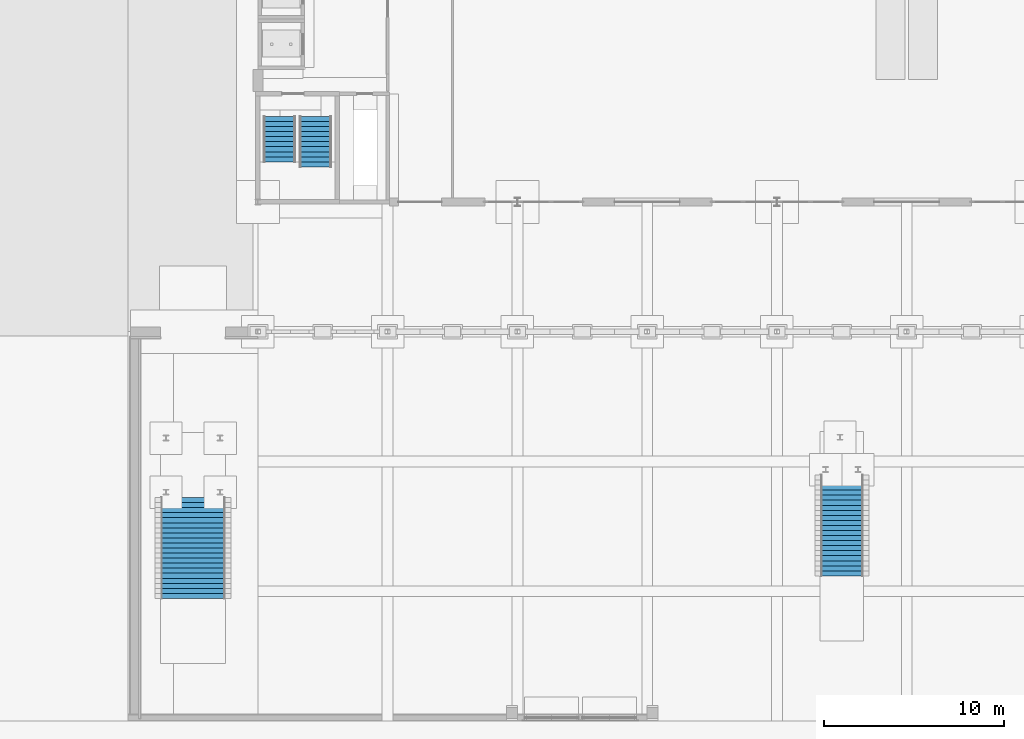
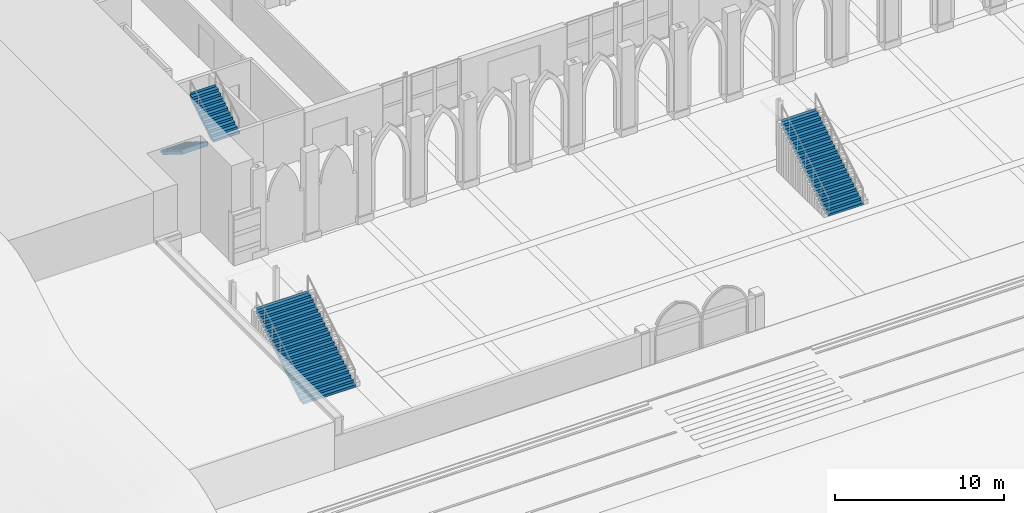
# One storey, part 93 of 148: 4 stair flights, 3 elements without a shape of their own.
"""IFC4 building model written with IfcOpenShell, lengths in metres."""

from ifc_helpers import new_model, si_unit, direction, frame, origin, place, context, subcontext, project, spatial, polyline, outline, extrude, material, type_object, element, aggregate, save


model = new_model("IFC4")

# Units and contexts
model_context = context("Model", 3, precision=1e-05, world=origin(), true_north=direction((0.0, 1.0)))
body_context = subcontext(model_context, "Body", "Model", "MODEL_VIEW")
ifc_project = project(units=[si_unit("LENGTHUNIT", "METRE"), si_unit("AREAUNIT", "SQUARE_METRE"), si_unit("VOLUMEUNIT", "CUBIC_METRE"), si_unit("PLANEANGLEUNIT", "RADIAN"), si_unit("MASSUNIT", "GRAM", prefix="KILO")], contexts=[model_context])

# Site, building, storey
site_placement = place(None, origin())
site = spatial("IfcSite", under=ifc_project, at=site_placement, CompositionType="ELEMENT")
building_placement = place(site_placement, origin())
building = spatial("IfcBuilding", under=site, at=building_placement, Name="Kupolbacken Congress Centre", CompositionType="ELEMENT")
storey_placement = place(building_placement, origin())
storey = spatial("IfcBuildingStorey", under=building, at=storey_placement, Name="L00", CompositionType="ELEMENT", Elevation=0.0)

# Stair, stair flights
ifc_material_1 = material(Name="Steel S355", Category="steel")
stair_type_1 = type_object("IfcStairType", Name="ST3 stair 1800", PredefinedType="TWO_STRAIGHT_RUN_STAIR", material=ifc_material_1)
stair_1_placement = place(storey_placement, origin())
stair_1 = element("IfcStair", 1, at=stair_1_placement, inside=storey, type_object=stair_type_1, Name="C/stair/FS1W/L00", PredefinedType="NOTDEFINED")
ifc_material_2 = material(Name="Steel S355", Category="steel")
stair_flight_type_1 = type_object("IfcStairFlightType", Name="FL5 stair flight 1800 x 10 risers", PredefinedType="STRAIGHT", material=ifc_material_2)
stair_flight_1_placement = place(storey_placement, frame((8.39990234375, 33.544921875, 0.0), z_axis=(0.0, 0.0, 1.0), x_axis=(0.0, -1.0, 0.0)))
stair_flight_1 = element("IfcStairFlight", 2, at=stair_flight_1_placement, type_object=stair_flight_type_1, Name="FS1W flight 1", NumberOfRisers=10, NumberOfTreads=9, PredefinedType="STRAIGHT", RiserHeight=0.171428571, TreadLength=0.28, context=body_context, shape_type="SweptSolid", body=[
    extrude(outline(polyline([(0.0, 0.0), (0.0, 0.0009765625), (0.0, 0.002197265625), (0.0, 0.003173828125), (0.0, 0.004150390625), (0.0, 0.00537109375), (0.0, 0.00634765625), (0.0, 0.007568359375), (0.0, 0.008544921875), (0.0, 0.009521484375), (0.0, 0.0107421875), (0.0, 0.01171875), (0.0, 0.0126953125), (0.0, 0.013916015625), (0.0, 0.014892578125), (0.0, 0.015869140625), (0.0, 0.01708984375), (0.0, 0.01806640625), (0.0, 0.019287109375), (0.0, 0.020263671875), (0.0, 0.021240234375), (0.0, 0.0224609375), (0.0, 0.0234375), (0.0, 0.0244140625), (0.0, 0.025634765625), (0.0, 0.026611328125), (0.0, 0.027587890625), (0.0, 0.02880859375), (0.0, 0.02978515625), (0.0, 0.03076171875), (0.0, 0.031982421875), (0.0, 0.032958984375), (0.0, 0.0341796875), (0.0, 0.03515625), (0.0, 0.0361328125), (0.0, 0.037353515625), (0.0, 0.038330078125), (0.0, 0.039306640625), (0.0, 0.04052734375), (0.0, 0.04150390625), (0.0, 0.04248046875), (0.0, 0.043701171875), (0.0, 0.044677734375), (0.0, 0.0458984375), (0.0, 0.046875), (0.0, 0.0478515625), (0.0, 0.049072265625), (0.0, 0.050048828125), (0.0, 0.051025390625), (0.0, 0.05224609375), (0.0, 0.05322265625), (0.0, 0.05419921875), (0.0, 0.055419921875), (0.0, 0.056396484375), (0.0, 0.0576171875), (0.0, 0.05859375), (0.0, 0.0595703125), (0.0, 0.060791015625), (0.0, 0.061767578125), (0.0, 0.062744140625), (0.0, 0.06396484375), (0.0, 0.06494140625), (0.0, 0.06591796875), (0.0, 0.067138671875), (0.0, 0.068115234375), (0.0, 0.069091796875), (0.0, 0.0703125), (0.0, 0.0712890625), (0.0, 0.072509765625), (0.0, 0.073486328125), (0.0, 0.074462890625), (0.0, 0.07568359375), (0.0, 0.07666015625), (0.0, 0.07763671875), (0.0, 0.078857421875), (0.0, 0.079833984375), (0.0, 0.080810546875), (0.0, 0.08203125), (0.0, 0.0830078125), (0.0, 0.084228515625), (0.0, 0.085205078125), (0.0, 0.086181640625), (0.0, 0.08740234375), (0.0, 0.08837890625), (0.0, 0.08935546875), (0.0, 0.090576171875), (0.0, 0.091552734375), (0.0, 0.092529296875), (0.0, 0.09375), (0.0, 0.0947265625), (0.0, 0.095947265625), (0.0, 0.096923828125), (0.0, 0.097900390625), (0.0, 0.09912109375), (0.0, 0.10009765625), (0.0, 0.10107421875), (0.0, 0.102294921875), (0.0, 0.103271484375), (0.0, 0.104248046875), (0.0, 0.10546875), (0.0, 0.1064453125), (0.0, 0.107421875), (0.0, 0.108642578125), (0.0, 0.109619140625), (0.0, 0.11083984375), (0.0, 0.11181640625), (0.0, 0.11279296875), (0.0, 0.114013671875), (0.0, 0.114990234375), (0.0, 0.115966796875), (0.0, 0.1171875), (0.0, 0.1181640625), (0.0, 0.119140625), (0.0, 0.120361328125), (0.0, 0.121337890625), (0.0, 0.12255859375), (0.0, 0.12353515625), (0.0, 0.12451171875), (0.0, 0.125732421875), (0.0, 0.126708984375), (0.0, 0.127685546875), (0.0, 0.12890625), (0.0, 0.1298828125), (0.0, 0.130859375), (0.0, 0.132080078125), (0.0, 0.133056640625), (0.0, 0.13427734375), (0.0, 0.13525390625), (0.0, 0.13623046875), (0.0, 0.137451171875), (0.0, 0.138427734375), (0.0, 0.139404296875), (0.0, 0.140625), (0.0, 0.1416015625), (0.0, 0.142578125), (0.0, 0.143798828125), (0.0, 0.144775390625), (0.0, 0.145751953125), (0.0, 0.14697265625), (0.0, 0.14794921875), (0.0, 0.149169921875), (0.0, 0.150146484375), (0.0, 0.151123046875), (0.0, 0.15234375), (0.0, 0.1533203125), (0.0, 0.154296875), (0.0, 0.155517578125), (0.0, 0.156494140625), (0.0, 0.157470703125), (0.0, 0.15869140625), (0.0, 0.15966796875), (0.0, 0.160888671875), (0.0, 0.161865234375), (0.0, 0.162841796875), (0.0, 0.1640625), (0.0, 0.1650390625), (0.0, 0.166015625), (0.0, 0.167236328125), (0.0, 0.168212890625), (0.0, 0.169189453125), (0.0, 0.17041015625), (0.0, 0.17138671875), (0.280029296875, 0.17138671875), (0.280029296875, 0.3427734375), (0.56005859375, 0.3427734375), (0.56005859375, 0.514404296875), (0.840087890625, 0.514404296875), (0.840087890625, 0.685791015625), (1.1201171875, 0.685791015625), (1.1201171875, 0.857177734375), (1.39990234375, 0.857177734375), (1.39990234375, 1.028564453125), (1.679931640625, 1.028564453125), (1.679931640625, 1.199951171875), (1.9599609375, 1.199951171875), (1.9599609375, 1.371337890625), (2.239990234375, 1.371337890625), (2.239990234375, 1.54296875), (2.52001953125, 1.54296875), (2.52001953125, 1.71435546875), (2.52197265625, 1.71435546875), (2.52197265625, 1.712158203125), (2.52197265625, 1.7099609375), (2.52197265625, 1.707763671875), (2.52197265625, 1.70556640625), (2.52197265625, 1.70361328125), (2.52197265625, 1.701416015625), (2.52197265625, 1.69921875), (2.52197265625, 1.697021484375), (2.52197265625, 1.69482421875), (2.52197265625, 1.692626953125), (2.52197265625, 1.690673828125), (2.52197265625, 1.6884765625), (2.52197265625, 1.686279296875), (2.52197265625, 1.68408203125), (2.52197265625, 1.681884765625), (2.52197265625, 1.6796875), (2.52197265625, 1.677734375), (2.52197265625, 1.675537109375), (2.52197265625, 1.67333984375), (2.52197265625, 1.671142578125), (2.52197265625, 1.6689453125), (2.52197265625, 1.666748046875), (2.52197265625, 1.664794921875), (2.52197265625, 1.66259765625), (2.52197265625, 1.660400390625), (2.52197265625, 1.658203125), (2.52197265625, 1.656005859375), (2.52197265625, 1.65380859375), (2.52197265625, 1.65185546875), (2.52197265625, 1.649658203125), (2.52197265625, 1.6474609375), (2.52197265625, 1.645263671875), (2.52197265625, 1.64306640625), (2.52197265625, 1.640869140625), (2.52197265625, 1.638916015625), (2.52197265625, 1.63671875), (2.52197265625, 1.634521484375), (2.52197265625, 1.63232421875), (2.52197265625, 1.630126953125), (2.52197265625, 1.6279296875), (2.52197265625, 1.6259765625), (2.52197265625, 1.623779296875), (2.52197265625, 1.62158203125), (2.52197265625, 1.619384765625), (2.52197265625, 1.6171875), (2.52197265625, 1.614990234375), (2.52197265625, 1.613037109375), (2.52197265625, 1.61083984375), (2.52197265625, 1.608642578125), (2.52197265625, 1.6064453125), (2.52197265625, 1.604248046875), (2.52197265625, 1.60205078125), (2.52197265625, 1.60009765625), (2.52197265625, 1.597900390625), (2.52197265625, 1.595703125), (2.52197265625, 1.593505859375), (2.52197265625, 1.59130859375), (2.52197265625, 1.589111328125), (2.52197265625, 1.587158203125), (2.52197265625, 1.5849609375), (2.52197265625, 1.582763671875), (2.52197265625, 1.58056640625), (2.52197265625, 1.578369140625), (2.52197265625, 1.576171875), (2.52197265625, 1.57421875), (2.52197265625, 1.572021484375), (2.52197265625, 1.56982421875), (2.52197265625, 1.567626953125), (2.52197265625, 1.5654296875), (2.52197265625, 1.563232421875), (2.52197265625, 1.561279296875), (2.52197265625, 1.55908203125), (2.52197265625, 1.556884765625), (2.52197265625, 1.5546875), (2.52197265625, 1.552490234375), (2.52197265625, 1.55029296875), (2.52197265625, 1.54833984375), (2.52197265625, 1.546142578125), (2.52197265625, 1.5439453125), (2.52197265625, 1.541748046875), (2.52197265625, 1.53955078125), (2.52197265625, 1.537353515625), (2.52197265625, 1.535400390625), (2.52197265625, 1.533203125), (2.52197265625, 1.531005859375), (2.52197265625, 1.52880859375), (2.52197265625, 1.526611328125), (2.52197265625, 1.5244140625), (2.52197265625, 1.5224609375), (2.52197265625, 1.520263671875), (2.52197265625, 1.51806640625), (2.52197265625, 1.515869140625), (2.52197265625, 1.513671875), (2.52197265625, 1.511474609375), (2.52197265625, 1.509521484375), (2.52197265625, 1.50732421875), (2.52197265625, 1.505126953125), (2.52197265625, 1.5029296875), (2.52197265625, 1.500732421875), (2.52197265625, 1.49853515625), (2.52197265625, 1.49658203125), (2.52197265625, 1.494384765625), (2.52197265625, 1.4921875), (2.52197265625, 1.489990234375), (2.52197265625, 1.48779296875), (2.52197265625, 1.485595703125), (2.52197265625, 1.483642578125), (2.52197265625, 1.4814453125), (2.52197265625, 1.479248046875), (2.52197265625, 1.47705078125), (2.52197265625, 1.474853515625), (2.52197265625, 1.47265625), (2.52197265625, 1.470703125), (2.52197265625, 1.468505859375), (2.52197265625, 1.46630859375), (2.52197265625, 1.464111328125), (2.52197265625, 1.4619140625), (2.52197265625, 1.459716796875), (2.52197265625, 1.457763671875), (2.52197265625, 1.45556640625), (2.52197265625, 1.453369140625), (2.52197265625, 1.451171875), (2.52197265625, 1.448974609375), (2.52197265625, 1.44677734375), (2.52197265625, 1.44482421875), (2.52197265625, 1.442626953125), (2.52197265625, 1.4404296875), (2.52197265625, 1.438232421875), (2.52197265625, 1.43603515625), (2.52197265625, 1.433837890625), (2.52197265625, 1.431884765625), (2.52197265625, 1.4296875), (2.52197265625, 1.427490234375), (2.52197265625, 1.42529296875), (2.52197265625, 1.423095703125), (2.52197265625, 1.4208984375), (2.52197265625, 1.4189453125), (2.52197265625, 1.416748046875), (2.52197265625, 1.41455078125), (2.52197265625, 1.412353515625), (2.52197265625, 1.41015625), (2.52197265625, 1.407958984375), (2.52197265625, 1.406005859375), (2.52197265625, 1.40380859375), (2.52197265625, 1.401611328125), (2.52197265625, 1.3994140625), (2.52197265625, 1.397216796875), (2.52197265625, 1.39501953125), (2.52197265625, 1.39306640625), (2.52197265625, 1.390869140625), (2.52197265625, 1.388671875), (2.52197265625, 1.386474609375), (2.52197265625, 1.38427734375), (2.52197265625, 1.382080078125), (2.52197265625, 1.380126953125), (2.52197265625, 1.3779296875), (2.52197265625, 1.375732421875), (2.52197265625, 1.37353515625), (2.52197265625, 1.371337890625), (2.52197265625, 1.369140625), (2.52197265625, 1.3671875), (0.2890625, 0.0), (0.0, 0.0)])), frame((0.0, 0.89990234375, 0.0), z_axis=(0.0, -1.0, 0.0), x_axis=(1.0, 0.0, 0.0)), (0.0, 0.0, 1.0), 1.800048828125),
])
ifc_material_3 = material(Name="Steel S355", Category="steel")
stair_flight_type_2 = type_object("IfcStairFlightType", Name="FL6 stair flight 1800 x 11 risers", PredefinedType="STRAIGHT", material=ifc_material_3)
stair_flight_2_placement = place(storey_placement, frame((10.39990234375, 30.7451171875, 1.71435546875), z_axis=(0.0, 0.0, 1.0), x_axis=(0.0, 1.0, 0.0)))
stair_flight_2 = element("IfcStairFlight", 3, at=stair_flight_2_placement, type_object=stair_flight_type_2, Name="FS1W flight 2", NumberOfRisers=11, NumberOfTreads=10, PredefinedType="STRAIGHT", RiserHeight=0.171428571, TreadLength=0.28, context=body_context, shape_type="SweptSolid", body=[
    extrude(outline(polyline([(0.0, 0.0), (0.0, 0.0009765625), (0.0, 0.002197265625), (0.0, 0.003173828125), (0.0, 0.004150390625), (0.0, 0.00537109375), (0.0, 0.00634765625), (0.0, 0.007568359375), (0.0, 0.008544921875), (0.0, 0.009521484375), (0.0, 0.0107421875), (0.0, 0.01171875), (0.0, 0.0126953125), (0.0, 0.013916015625), (0.0, 0.014892578125), (0.0, 0.015869140625), (0.0, 0.01708984375), (0.0, 0.01806640625), (0.0, 0.019287109375), (0.0, 0.020263671875), (0.0, 0.021240234375), (0.0, 0.0224609375), (0.0, 0.0234375), (0.0, 0.0244140625), (0.0, 0.025634765625), (0.0, 0.026611328125), (0.0, 0.027587890625), (0.0, 0.02880859375), (0.0, 0.02978515625), (0.0, 0.03076171875), (0.0, 0.031982421875), (0.0, 0.032958984375), (0.0, 0.0341796875), (0.0, 0.03515625), (0.0, 0.0361328125), (0.0, 0.037353515625), (0.0, 0.038330078125), (0.0, 0.039306640625), (0.0, 0.04052734375), (0.0, 0.04150390625), (0.0, 0.04248046875), (0.0, 0.043701171875), (0.0, 0.044677734375), (0.0, 0.0458984375), (0.0, 0.046875), (0.0, 0.0478515625), (0.0, 0.049072265625), (0.0, 0.050048828125), (0.0, 0.051025390625), (0.0, 0.05224609375), (0.0, 0.05322265625), (0.0, 0.05419921875), (0.0, 0.055419921875), (0.0, 0.056396484375), (0.0, 0.0576171875), (0.0, 0.05859375), (0.0, 0.0595703125), (0.0, 0.060791015625), (0.0, 0.061767578125), (0.0, 0.062744140625), (0.0, 0.06396484375), (0.0, 0.06494140625), (0.0, 0.06591796875), (0.0, 0.067138671875), (0.0, 0.068115234375), (0.0, 0.069091796875), (0.0, 0.0703125), (0.0, 0.0712890625), (0.0, 0.072509765625), (0.0, 0.073486328125), (0.0, 0.074462890625), (0.0, 0.07568359375), (0.0, 0.07666015625), (0.0, 0.07763671875), (0.0, 0.078857421875), (0.0, 0.079833984375), (0.0, 0.080810546875), (0.0, 0.08203125), (0.0, 0.0830078125), (0.0, 0.084228515625), (0.0, 0.085205078125), (0.0, 0.086181640625), (0.0, 0.08740234375), (0.0, 0.08837890625), (0.0, 0.08935546875), (0.0, 0.090576171875), (0.0, 0.091552734375), (0.0, 0.092529296875), (0.0, 0.09375), (0.0, 0.0947265625), (0.0, 0.095947265625), (0.0, 0.096923828125), (0.0, 0.097900390625), (0.0, 0.09912109375), (0.0, 0.10009765625), (0.0, 0.10107421875), (0.0, 0.102294921875), (0.0, 0.103271484375), (0.0, 0.104248046875), (0.0, 0.10546875), (0.0, 0.1064453125), (0.0, 0.107421875), (0.0, 0.108642578125), (0.0, 0.109619140625), (0.0, 0.11083984375), (0.0, 0.11181640625), (0.0, 0.11279296875), (0.0, 0.114013671875), (0.0, 0.114990234375), (0.0, 0.115966796875), (0.0, 0.1171875), (0.0, 0.1181640625), (0.0, 0.119140625), (0.0, 0.120361328125), (0.0, 0.121337890625), (0.0, 0.12255859375), (0.0, 0.12353515625), (0.0, 0.12451171875), (0.0, 0.125732421875), (0.0, 0.126708984375), (0.0, 0.127685546875), (0.0, 0.12890625), (0.0, 0.1298828125), (0.0, 0.130859375), (0.0, 0.132080078125), (0.0, 0.133056640625), (0.0, 0.13427734375), (0.0, 0.13525390625), (0.0, 0.13623046875), (0.0, 0.137451171875), (0.0, 0.138427734375), (0.0, 0.139404296875), (0.0, 0.140625), (0.0, 0.1416015625), (0.0, 0.142578125), (0.0, 0.143798828125), (0.0, 0.144775390625), (0.0, 0.145751953125), (0.0, 0.14697265625), (0.0, 0.14794921875), (0.0, 0.149169921875), (0.0, 0.150146484375), (0.0, 0.151123046875), (0.0, 0.15234375), (0.0, 0.1533203125), (0.0, 0.154296875), (0.0, 0.155517578125), (0.0, 0.156494140625), (0.0, 0.157470703125), (0.0, 0.15869140625), (0.0, 0.15966796875), (0.0, 0.160888671875), (0.0, 0.161865234375), (0.0, 0.162841796875), (0.0, 0.1640625), (0.0, 0.1650390625), (0.0, 0.166015625), (0.0, 0.167236328125), (0.0, 0.168212890625), (0.0, 0.169189453125), (0.0, 0.17041015625), (0.0, 0.17138671875), (0.280029296875, 0.17138671875), (0.280029296875, 0.3427734375), (0.56005859375, 0.3427734375), (0.56005859375, 0.514404296875), (0.840087890625, 0.514404296875), (0.840087890625, 0.685791015625), (1.1201171875, 0.685791015625), (1.1201171875, 0.857177734375), (1.39990234375, 0.857177734375), (1.39990234375, 1.028564453125), (1.679931640625, 1.028564453125), (1.679931640625, 1.199951171875), (1.9599609375, 1.199951171875), (1.9599609375, 1.371337890625), (2.239990234375, 1.371337890625), (2.239990234375, 1.54296875), (2.52001953125, 1.54296875), (2.52001953125, 1.71435546875), (2.800048828125, 1.71435546875), (2.800048828125, 1.8857421875), (2.802001953125, 1.8857421875), (2.802001953125, 1.883544921875), (2.802001953125, 1.88134765625), (2.802001953125, 1.879150390625), (2.802001953125, 1.877197265625), (2.802001953125, 1.875), (2.802001953125, 1.872802734375), (2.802001953125, 1.87060546875), (2.802001953125, 1.868408203125), (2.802001953125, 1.8662109375), (2.802001953125, 1.8642578125), (2.802001953125, 1.862060546875), (2.802001953125, 1.85986328125), (2.802001953125, 1.857666015625), (2.802001953125, 1.85546875), (2.802001953125, 1.853271484375), (2.802001953125, 1.851318359375), (2.802001953125, 1.84912109375), (2.802001953125, 1.846923828125), (2.802001953125, 1.8447265625), (2.802001953125, 1.842529296875), (2.802001953125, 1.84033203125), (2.802001953125, 1.83837890625), (2.802001953125, 1.836181640625), (2.802001953125, 1.833984375), (2.802001953125, 1.831787109375), (2.802001953125, 1.82958984375), (2.802001953125, 1.827392578125), (2.802001953125, 1.825439453125), (2.802001953125, 1.8232421875), (2.802001953125, 1.821044921875), (2.802001953125, 1.81884765625), (2.802001953125, 1.816650390625), (2.802001953125, 1.814453125), (2.802001953125, 1.8125), (2.802001953125, 1.810302734375), (2.802001953125, 1.80810546875), (2.802001953125, 1.805908203125), (2.802001953125, 1.8037109375), (2.802001953125, 1.801513671875), (2.802001953125, 1.799560546875), (2.802001953125, 1.79736328125), (2.802001953125, 1.795166015625), (2.802001953125, 1.79296875), (2.802001953125, 1.790771484375), (2.802001953125, 1.78857421875), (2.802001953125, 1.78662109375), (2.802001953125, 1.784423828125), (2.802001953125, 1.7822265625), (2.802001953125, 1.780029296875), (2.802001953125, 1.77783203125), (2.802001953125, 1.775634765625), (2.802001953125, 1.773681640625), (2.802001953125, 1.771484375), (2.802001953125, 1.769287109375), (2.802001953125, 1.76708984375), (2.802001953125, 1.764892578125), (2.802001953125, 1.7626953125), (2.802001953125, 1.7607421875), (2.802001953125, 1.758544921875), (2.802001953125, 1.75634765625), (2.802001953125, 1.754150390625), (2.802001953125, 1.751953125), (2.802001953125, 1.749755859375), (2.802001953125, 1.747802734375), (2.802001953125, 1.74560546875), (2.802001953125, 1.743408203125), (2.802001953125, 1.7412109375), (2.802001953125, 1.739013671875), (2.802001953125, 1.73681640625), (2.802001953125, 1.73486328125), (2.802001953125, 1.732666015625), (2.802001953125, 1.73046875), (2.802001953125, 1.728271484375), (2.802001953125, 1.72607421875), (2.802001953125, 1.723876953125), (2.802001953125, 1.721923828125), (2.802001953125, 1.7197265625), (2.802001953125, 1.717529296875), (2.802001953125, 1.71533203125), (2.802001953125, 1.713134765625), (2.802001953125, 1.7109375), (2.802001953125, 1.708984375), (2.802001953125, 1.706787109375), (2.802001953125, 1.70458984375), (2.802001953125, 1.702392578125), (2.802001953125, 1.7001953125), (2.802001953125, 1.697998046875), (2.802001953125, 1.696044921875), (2.802001953125, 1.69384765625), (2.802001953125, 1.691650390625), (2.802001953125, 1.689453125), (2.802001953125, 1.687255859375), (2.802001953125, 1.68505859375), (2.802001953125, 1.68310546875), (2.802001953125, 1.680908203125), (2.802001953125, 1.6787109375), (2.802001953125, 1.676513671875), (2.802001953125, 1.67431640625), (2.802001953125, 1.672119140625), (2.802001953125, 1.670166015625), (2.802001953125, 1.66796875), (2.802001953125, 1.665771484375), (2.802001953125, 1.66357421875), (2.802001953125, 1.661376953125), (2.802001953125, 1.6591796875), (2.802001953125, 1.6572265625), (2.802001953125, 1.655029296875), (2.802001953125, 1.65283203125), (2.802001953125, 1.650634765625), (2.802001953125, 1.6484375), (2.802001953125, 1.646240234375), (2.802001953125, 1.644287109375), (2.802001953125, 1.64208984375), (2.802001953125, 1.639892578125), (2.802001953125, 1.6376953125), (2.802001953125, 1.635498046875), (2.802001953125, 1.63330078125), (2.802001953125, 1.63134765625), (2.802001953125, 1.629150390625), (2.802001953125, 1.626953125), (2.802001953125, 1.624755859375), (2.802001953125, 1.62255859375), (2.802001953125, 1.620361328125), (2.802001953125, 1.618408203125), (2.802001953125, 1.6162109375), (2.802001953125, 1.614013671875), (2.802001953125, 1.61181640625), (2.802001953125, 1.609619140625), (2.802001953125, 1.607421875), (2.802001953125, 1.60546875), (2.802001953125, 1.603271484375), (2.802001953125, 1.60107421875), (2.802001953125, 1.598876953125), (2.802001953125, 1.5966796875), (2.802001953125, 1.594482421875), (2.802001953125, 1.592529296875), (2.802001953125, 1.59033203125), (2.802001953125, 1.588134765625), (2.802001953125, 1.5859375), (2.802001953125, 1.583740234375), (2.802001953125, 1.58154296875), (2.802001953125, 1.57958984375), (2.802001953125, 1.577392578125), (2.802001953125, 1.5751953125), (2.802001953125, 1.572998046875), (2.802001953125, 1.57080078125), (2.802001953125, 1.568603515625), (2.802001953125, 1.566650390625), (2.802001953125, 1.564453125), (2.802001953125, 1.562255859375), (2.802001953125, 1.56005859375), (2.802001953125, 1.557861328125), (2.802001953125, 1.5556640625), (2.802001953125, 1.5537109375), (2.802001953125, 1.551513671875), (2.802001953125, 1.54931640625), (2.802001953125, 1.547119140625), (2.802001953125, 1.544921875), (2.802001953125, 1.542724609375), (2.802001953125, 1.540771484375), (2.802001953125, 1.53857421875), (0.2890625, 0.0), (0.0, 0.0)])), frame((0.0, 0.89990234375, 0.0), z_axis=(0.0, -1.0, 0.0), x_axis=(1.0, 0.0, 0.0)), (0.0, 0.0, 1.0), 1.800048828125),
])
aggregate(stair_1, [stair_flight_1, stair_flight_2])

# Stair, stair flight
ifc_material_4 = material(Name="Steel S355", Category="steel")
stair_type_2 = type_object("IfcStairType", Name="ST4 stair 2400", PredefinedType="STRAIGHT_RUN_STAIR", material=ifc_material_4)
stair_2_placement = place(storey_placement, origin())
stair_2 = element("IfcStair", 4, at=stair_2_placement, inside=storey, type_object=stair_type_2, Name="External stair XS4", PredefinedType="STRAIGHT_RUN_STAIR")
ifc_material_5 = material(Name="Steel S355", Category="steel")
stair_flight_type_3 = type_object("IfcStairFlightType", Name="FL7 stair flight 2400 x 21 risers", PredefinedType="STRAIGHT", material=ifc_material_5)
stair_flight_3_placement = place(storey_placement, frame((39.60009765625, 8.050048828125, 0.0), z_axis=(0.0, 0.0, 1.0), x_axis=(0.0, 1.0, 0.0)))
stair_flight_3 = element("IfcStairFlight", 5, at=stair_flight_3_placement, type_object=stair_flight_type_3, Name="ST4 flight 1", NumberOfRisers=21, NumberOfTreads=20, PredefinedType="STRAIGHT", RiserHeight=0.1714, TreadLength=0.28, context=body_context, shape_type="SweptSolid", body=[
    extrude(outline(polyline([(0.0, 0.0), (0.0, 0.01318359375), (0.0, 0.0263671875), (0.0, 0.03955078125), (0.0, 0.052734375), (0.0, 0.06591796875), (0.0, 0.0791015625), (0.0, 0.09228515625), (0.0, 0.10546875), (0.0, 0.11865234375), (0.0, 0.1318359375), (0.0, 0.14501953125), (0.0, 0.158203125), (0.0, 0.17138671875), (0.280029296875, 0.17138671875), (0.280029296875, 0.3427734375), (0.56005859375, 0.3427734375), (0.56005859375, 0.51416015625), (0.840087890625, 0.51416015625), (0.840087890625, 0.685546875), (1.1201171875, 0.685546875), (1.1201171875, 0.85693359375), (1.39990234375, 0.85693359375), (1.39990234375, 1.0283203125), (1.679931640625, 1.0283203125), (1.679931640625, 1.19970703125), (1.9599609375, 1.19970703125), (1.9599609375, 1.37109375), (2.239990234375, 1.37109375), (2.239990234375, 1.54248046875), (2.52001953125, 1.54248046875), (2.52001953125, 1.714111328125), (2.800048828125, 1.714111328125), (2.800048828125, 1.885498046875), (3.080078125, 1.885498046875), (3.080078125, 2.056884765625), (3.360107421875, 2.056884765625), (3.360107421875, 2.228271484375), (3.639892578125, 2.228271484375), (3.639892578125, 2.399658203125), (3.919921875, 2.399658203125), (3.919921875, 2.571044921875), (4.199951171875, 2.571044921875), (4.199951171875, 2.742431640625), (4.47998046875, 2.742431640625), (4.47998046875, 2.913818359375), (4.760009765625, 2.913818359375), (4.760009765625, 3.085205078125), (5.0400390625, 3.085205078125), (5.0400390625, 3.256591796875), (5.320068359375, 3.256591796875), (5.320068359375, 3.427978515625), (5.60009765625, 3.427978515625), (5.60009765625, 3.599365234375), (5.60205078125, 3.599365234375), (5.60205078125, 3.568115234375), (5.60205078125, 3.536865234375), (5.60205078125, 3.505859375), (5.60205078125, 3.474609375), (5.60205078125, 3.443359375), (5.60205078125, 3.412109375), (5.60205078125, 3.380859375), (5.60205078125, 3.349609375), (5.60205078125, 3.318359375), (5.60205078125, 3.287109375), (5.60205078125, 3.256103515625), (5.60205078125, 3.224853515625), (5.60205078125, 3.193603515625), (0.385009765625, 0.0), (0.0, 0.0)])), frame((0.0, 1.199951171875, 0.0), z_axis=(0.0, -1.0, 0.0), x_axis=(1.0, 0.0, 0.0)), (0.0, 0.0, 1.0), 2.39990234375),
])
aggregate(stair_2, [stair_flight_3])

ifc_material_6 = material(Name="Concrete C30/37", Category="concrete")
stair_type_3 = type_object("IfcStairType", Name="XS1 external stair 3600", PredefinedType="STRAIGHT_RUN_STAIR", material=ifc_material_6)
stair_3_placement = place(storey_placement, origin())
stair_3 = element("IfcStair", 6, at=stair_3_placement, inside=storey, type_object=stair_type_3, Name="External stair XS1", PredefinedType="STRAIGHT_RUN_STAIR")
ifc_material_7 = material(Name="Concrete C30/37", Category="concrete")
stair_flight_type_4 = type_object("IfcStairFlightType", Name="XF1 external stair flight 3600 x 21 risers", PredefinedType="STRAIGHT", material=ifc_material_7)
stair_flight_4_placement = place(storey_placement, frame((3.60009765625, 6.800048828125, 0.0), z_axis=(0.0, 0.0, 1.0), x_axis=(0.0, 1.0, 0.0)))
stair_flight_4 = element("IfcStairFlight", 7, at=stair_flight_4_placement, type_object=stair_flight_type_4, Name="XS1 flight 1", NumberOfRisers=21, NumberOfTreads=20, PredefinedType="STRAIGHT", RiserHeight=0.1714, TreadLength=0.28, context=body_context, shape_type="SweptSolid", body=[
    extrude(outline(polyline([(0.0, 0.0), (0.0, 0.01318359375), (0.0, 0.0263671875), (0.0, 0.03955078125), (0.0, 0.052734375), (0.0, 0.06591796875), (0.0, 0.0791015625), (0.0, 0.09228515625), (0.0, 0.10546875), (0.0, 0.11865234375), (0.0, 0.1318359375), (0.0, 0.14501953125), (0.0, 0.158203125), (0.0, 0.17138671875), (0.280029296875, 0.17138671875), (0.280029296875, 0.3427734375), (0.56005859375, 0.3427734375), (0.56005859375, 0.51416015625), (0.840087890625, 0.51416015625), (0.840087890625, 0.685546875), (1.1201171875, 0.685546875), (1.1201171875, 0.85693359375), (1.39990234375, 0.85693359375), (1.39990234375, 1.0283203125), (1.679931640625, 1.0283203125), (1.679931640625, 1.19970703125), (1.9599609375, 1.19970703125), (1.9599609375, 1.37109375), (2.239990234375, 1.37109375), (2.239990234375, 1.54248046875), (2.52001953125, 1.54248046875), (2.52001953125, 1.714111328125), (2.800048828125, 1.714111328125), (2.800048828125, 1.885498046875), (3.080078125, 1.885498046875), (3.080078125, 2.056884765625), (3.360107421875, 2.056884765625), (3.360107421875, 2.228271484375), (3.639892578125, 2.228271484375), (3.639892578125, 2.399658203125), (3.919921875, 2.399658203125), (3.919921875, 2.571044921875), (4.199951171875, 2.571044921875), (4.199951171875, 2.742431640625), (4.47998046875, 2.742431640625), (4.47998046875, 2.913818359375), (4.760009765625, 2.913818359375), (4.760009765625, 3.085205078125), (5.0400390625, 3.085205078125), (5.0400390625, 3.256591796875), (5.320068359375, 3.256591796875), (5.320068359375, 3.427978515625), (5.60009765625, 3.427978515625), (5.60009765625, 3.599365234375), (5.60205078125, 3.599365234375), (5.60205078125, 3.568115234375), (5.60205078125, 3.536865234375), (5.60205078125, 3.505859375), (5.60205078125, 3.474609375), (5.60205078125, 3.443359375), (5.60205078125, 3.412109375), (5.60205078125, 3.380859375), (5.60205078125, 3.349609375), (5.60205078125, 3.318359375), (5.60205078125, 3.287109375), (5.60205078125, 3.256103515625), (5.60205078125, 3.224853515625), (5.60205078125, 3.193603515625), (0.385009765625, 0.0), (0.0, 0.0)])), frame((0.0, 1.800048828125, 0.0), z_axis=(0.0, -1.0, 0.0), x_axis=(1.0, 0.0, 0.0)), (0.0, 0.0, 1.0), 3.60009765625),
])
aggregate(stair_3, [stair_flight_4])

save(model, "model.ifc")
